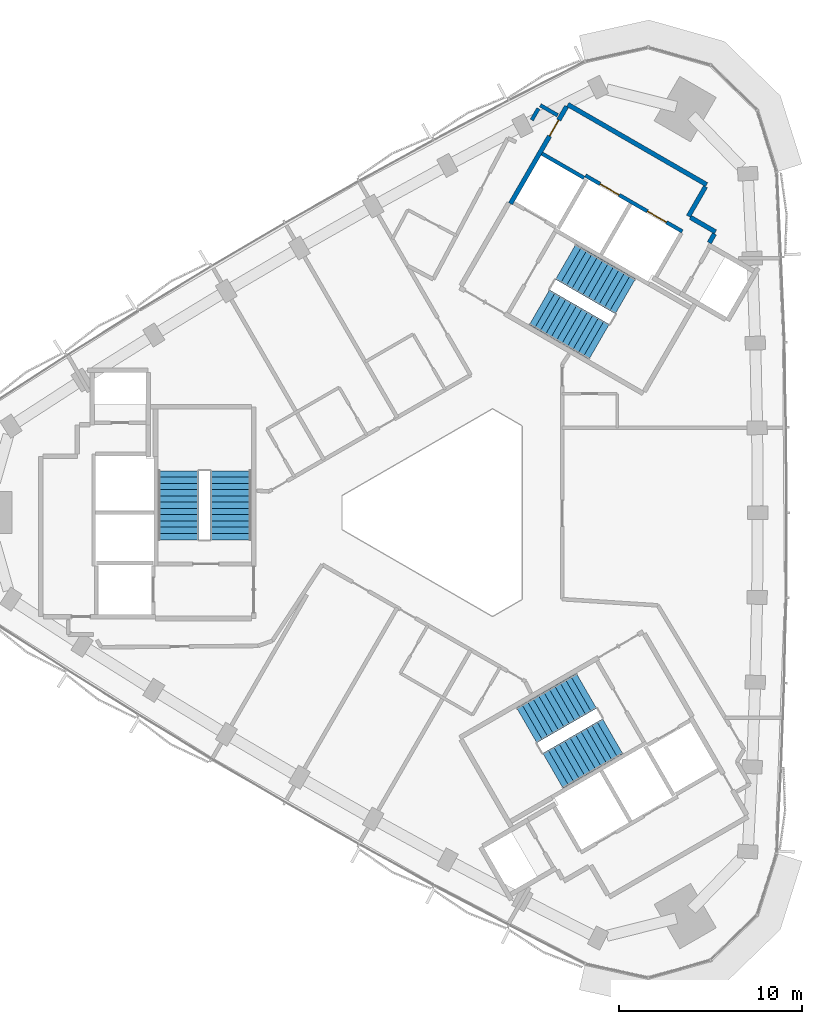
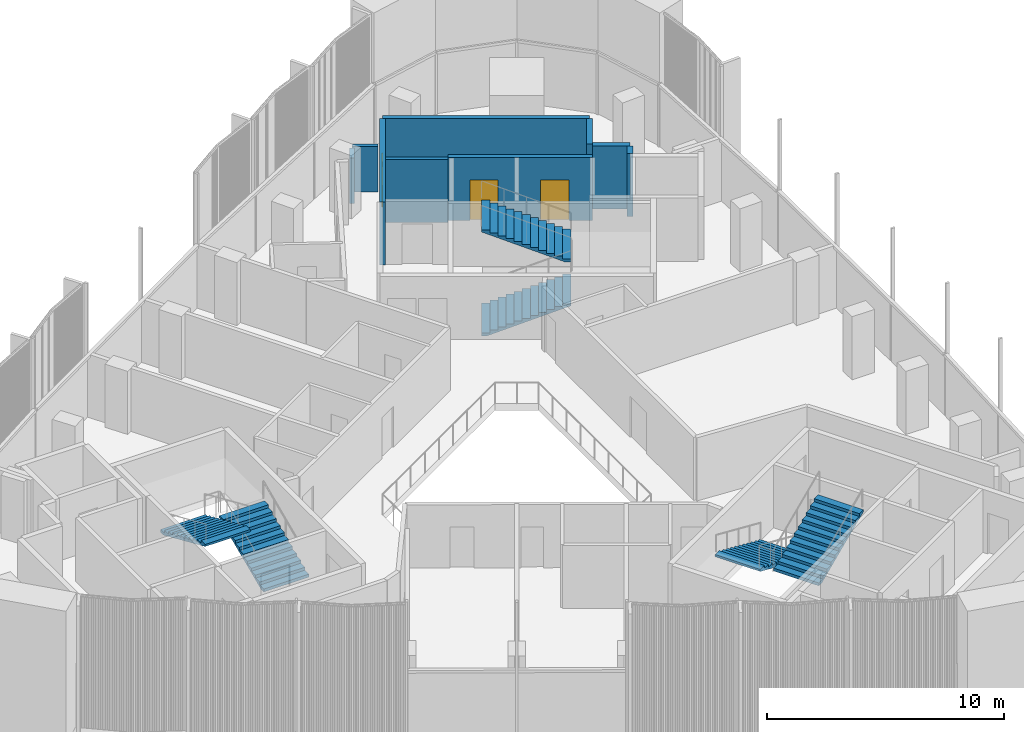
# One storey, part 11 of 14: 9 walls, 6 stair flights, 3 doors, 3 openings, 3 elements without a shape of their own.
"""IFC4 building model written with IfcOpenShell, lengths in metres."""

from ifc_helpers import new_model, si_unit, direction, frame, frame_2d, origin, place, context, subcontext, project, spatial, polyline, rectangle, outline, extrude, material, layer, layer_set, type_object, element, fill, aggregate, save


model = new_model("IFC4")

# Units and contexts
model_context = context("Model", 3, precision=1e-05, world=origin(), true_north=direction((0.0, 1.0)))
body_context = subcontext(model_context, "Body", "Model", "MODEL_VIEW")
ifc_project = project(units=[si_unit("LENGTHUNIT", "METRE"), si_unit("AREAUNIT", "SQUARE_METRE"), si_unit("VOLUMEUNIT", "CUBIC_METRE"), si_unit("PLANEANGLEUNIT", "RADIAN"), si_unit("MASSUNIT", "GRAM", prefix="KILO")], contexts=[model_context])

# Site, building, storey
site_placement = place(None, origin())
site = spatial("IfcSite", under=ifc_project, at=site_placement, CompositionType="ELEMENT")
building_placement = place(site_placement, origin())
building = spatial("IfcBuilding", under=site, at=building_placement, Name="Tamra Quay Hotel Tower", CompositionType="ELEMENT")
storey_placement = place(building_placement, frame((0.0, 0.0, 221.39990234375)))
storey = spatial("IfcBuildingStorey", under=building, at=storey_placement, Name="L55", CompositionType="ELEMENT", Elevation=221.39990234375)

# Wall, openings, doors
ifc_material_1 = material(Name="Concrete M70", Category="concrete")
ifc_layer_1 = layer(ifc_material_1, 0.199951171875)
ifc_layer_set_1 = layer_set([ifc_layer_1], Name="Concrete M70 core wall 200")
wall_type_1 = type_object("IfcWallType", Name="Concrete M70 core wall 200", PredefinedType="SHEAR", material=ifc_layer_set_1)
wall_1_placement = place(storey_placement, frame((12.552490234375, 15.341552734375, 0.0), z_axis=(0.0, 0.0, 1.0), x_axis=(-0.866030299012, 0.499991521122, 0.0)))
wall_1 = element("IfcWall", 1, at=wall_1_placement, inside=storey, type_object=wall_type_1, Name="CW2", PredefinedType="SHEAR", context=body_context, shape_type="SweptSolid", body=[
    extrude(rectangle(XDim=6.10009765625, YDim=0.199951171875, at=frame_2d((3.050048828125, 0.0))), origin(), (0.0, 0.0, 1.0), 3.25),
])
opening_1_placement = place(wall_1_placement, frame((1.0, 0.0, 0.0)))
opening_1 = element("IfcOpeningElement", 2, at=opening_1_placement, cuts=wall_1, Name="Opening LD", PredefinedType="OPENING", context=body_context, shape_type="SweptSolid", body=[
    extrude(rectangle(XDim=1.199951171875, YDim=2.10009765625, at=frame_2d((0.60009765625, 1.050048828125))), frame((0.0, 0.10986328125, 0.0), z_axis=(0.0, -1.0, 0.0), x_axis=(1.0, 0.0, 0.0)), (0.0, 0.0, 1.0), 0.219970703125),
])
opening_2_placement = place(wall_1_placement, frame((3.982177734375, 0.0, 0.0)))
opening_2 = element("IfcOpeningElement", 3, at=opening_2_placement, cuts=wall_1, Name="Opening LD", PredefinedType="OPENING", context=body_context, shape_type="SweptSolid", body=[
    extrude(rectangle(XDim=1.199951171875, YDim=2.10009765625, at=frame_2d((0.60009765625, 1.050048828125))), frame((0.0, 0.10986328125, 0.0), z_axis=(0.0, -1.0, 0.0), x_axis=(1.0, 0.0, 0.0)), (0.0, 0.0, 1.0), 0.219970703125),
])
ifc_material_2 = material(Name="Landing door LD 1200 double door sliding")
door_type_1 = type_object("IfcDoorType", Name="Landing door LD 1200 double door sliding", OperationType="DOUBLE_DOOR_SLIDING", PredefinedType="DOOR", material=ifc_material_2)
door_1_placement = place(opening_1_placement, origin())
door_1 = element("IfcDoor", 4, at=door_1_placement, inside=storey, type_object=door_type_1, Name="LD", OperationType="DOUBLE_DOOR_SLIDING", OverallHeight=2.10009765625, OverallWidth=1.199951171875, PredefinedType="DOOR", context=body_context, shape_type="SweptSolid", body=[
    extrude(rectangle(XDim=1.199951171875, YDim=2.10009765625, at=frame_2d((0.60009765625, 1.050048828125))), frame((0.0, 0.02490234375, 0.0), z_axis=(0.0, -1.0, 0.0), x_axis=(1.0, 0.0, 0.0)), (0.0, 0.0, 1.0), 0.050048828125),
])
fill(opening_1, door_1)
door_2_placement = place(opening_2_placement, origin())
door_2 = element("IfcDoor", 5, at=door_2_placement, inside=storey, type_object=door_type_1, Name="LD", OperationType="DOUBLE_DOOR_SLIDING", OverallHeight=2.10009765625, OverallWidth=1.199951171875, PredefinedType="DOOR", context=body_context, shape_type="SweptSolid", body=[
    extrude(rectangle(XDim=1.199951171875, YDim=2.10009765625, at=frame_2d((0.60009765625, 1.050048828125))), frame((0.0, 0.02490234375, 0.0), z_axis=(0.0, -1.0, 0.0), x_axis=(1.0, 0.0, 0.0)), (0.0, 0.0, 1.0), 0.050048828125),
])
fill(opening_2, door_2)

# Walls
wall_2_placement = place(storey_placement, frame((7.1962890625, 18.260498046875, 0.0), z_axis=(0.0, 0.0, 1.0), x_axis=(-0.866018407898, 0.500012117035, 0.0)))
element("IfcWall", 6, at=wall_2_placement, inside=storey, type_object=wall_type_1, Name="CW2", PredefinedType="SHEAR", context=body_context, shape_type="SweptSolid", body=[
    extrude(rectangle(XDim=2.65087890625, YDim=0.199951171875, at=frame_2d((1.325439453125, 0.0))), origin(), (0.0, 0.0, 1.0), 3.25),
])
ifc_layer_2 = layer(ifc_material_1, 0.25)
ifc_layer_set_2 = layer_set([ifc_layer_2], Name="Concrete M70 core wall 250")
wall_type_2 = type_object("IfcWallType", Name="Concrete M70 core wall 250", PredefinedType="SHEAR", material=ifc_layer_set_2)
wall_3_placement = place(storey_placement, frame((6.303955078125, 22.268798828125, 0.0), z_axis=(0.0, 0.0, 1.0), x_axis=(0.866022959057, -0.500004234368, 0.0)))
element("IfcWall", 7, at=wall_3_placement, inside=storey, type_object=wall_type_2, Name="CW1", PredefinedType="SHEAR", context=body_context, shape_type="SweptSolid", body=[
    extrude(rectangle(XDim=8.75, YDim=0.25, at=frame_2d((4.375, 0.0))), origin(), (0.0, 0.0, 1.0), 3.25),
])

# Wall, opening, door
wall_4_placement = place(storey_placement, frame((3.178955078125, 16.856201171875, 0.0), z_axis=(0.0, 0.0, 1.0), x_axis=(0.500001955336, 0.866024274868, 0.0)))
wall_4 = element("IfcWall", 8, at=wall_4_placement, inside=storey, type_object=wall_type_2, Name="CW1", PredefinedType="SHEAR", context=body_context, shape_type="SweptSolid", body=[
    extrude(rectangle(XDim=6.12451171875, YDim=0.25, at=frame_2d((3.062255859375, 0.0))), origin(), (0.0, 0.0, 1.0), 3.25),
])
opening_3_placement = place(wall_4_placement, frame((4.2626953125, 0.0, 0.0)))
opening_3 = element("IfcOpeningElement", 9, at=opening_3_placement, cuts=wall_4, Name="Opening FD3", PredefinedType="OPENING", context=body_context, shape_type="SweptSolid", body=[
    extrude(rectangle(XDim=1.0, YDim=2.10009765625, at=frame_2d((0.5, 1.050048828125))), frame((0.0, 0.135009765625, 0.0), z_axis=(0.0, -1.0, 0.0), x_axis=(1.0, 0.0, 0.0)), (0.0, 0.0, 1.0), 0.27001953125),
])
ifc_material_3 = material(Name="Core door FD3 1000x2100 LH")
door_type_2 = type_object("IfcDoorType", Name="Core door FD3 1000x2100 LH", OperationType="NOTDEFINED", PredefinedType="DOOR", material=ifc_material_3)
door_3_placement = place(opening_3_placement, origin())
door_3 = element("IfcDoor", 10, at=door_3_placement, inside=storey, type_object=door_type_2, Name="FD3", OperationType="SINGLE_SWING_LEFT", OverallHeight=2.10009765625, OverallWidth=1.0, PredefinedType="DOOR", context=body_context, shape_type="SweptSolid", body=[
    extrude(rectangle(XDim=1.0, YDim=2.10009765625, at=frame_2d((0.5, 1.050048828125))), frame((0.0, 0.02490234375, 0.0), z_axis=(0.0, -1.0, 0.0), x_axis=(1.0, 0.0, 0.0)), (0.0, 0.0, 1.0), 0.050048828125),
])
fill(opening_3, door_3)

# Walls
wall_5_placement = place(storey_placement, frame((13.819091796875, 17.78515625, 0.0), z_axis=(0.0, 0.0, 1.0), x_axis=(-0.500039802285, -0.866002422705, 0.0)))
element("IfcWall", 11, at=wall_5_placement, inside=storey, type_object=wall_type_2, Name="CW1", PredefinedType="SHEAR", context=body_context, shape_type="SweptSolid", body=[
    extrude(rectangle(XDim=1.864501953125, YDim=0.25, at=frame_2d((0.93212890625, 0.0))), origin(), (0.0, 0.0, 1.0), 3.25),
])
wall_6_placement = place(storey_placement, frame((12.995361328125, 16.107666015625, 0.0), z_axis=(0.0, 0.0, 1.0), x_axis=(0.866044474677, -0.49996696679, 0.0)))
element("IfcWall", 12, at=wall_6_placement, inside=storey, type_object=wall_type_2, Name="CW1", PredefinedType="SHEAR", context=body_context, shape_type="SweptSolid", body=[
    extrude(rectangle(XDim=1.58447265625, YDim=0.25, at=frame_2d((0.792236328125, 0.0))), origin(), (0.0, 0.0, 1.0), 3.25),
])
wall_7_placement = place(storey_placement, frame((14.304931640625, 15.206787109375, 0.0), z_axis=(0.0, 0.0, 1.0), x_axis=(-0.499848422343, -0.866112899501, 0.0)))
element("IfcWall", 13, at=wall_7_placement, inside=storey, type_object=wall_type_2, Name="CW1", PredefinedType="SHEAR", context=body_context, shape_type="SweptSolid", body=[
    extrude(rectangle(XDim=0.559326171875, YDim=0.25, at=frame_2d((0.27978515625, 0.0))), origin(), (0.0, 0.0, 1.0), 3.25),
])
ifc_material_4 = material(Name="Partition corridor wall")
ifc_layer_3 = layer(ifc_material_4, 0.199951171875)
ifc_layer_set_3 = layer_set([ifc_layer_3], Name="Partition corridor wall")
wall_type_3 = type_object("IfcWallType", Name="Partition corridor wall", PredefinedType="PARTITIONING", material=ifc_layer_set_3)
wall_8_placement = place(storey_placement, frame((4.342041015625, 21.4208984375, 0.0), z_axis=(0.0, 0.0, 1.0), x_axis=(0.500238258503, 0.865887801468, 0.0)))
element("IfcWall", 14, at=wall_8_placement, inside=storey, type_object=wall_type_3, Name="W-C", PredefinedType="PARTITIONING", context=body_context, shape_type="SweptSolid", body=[
    extrude(rectangle(XDim=0.723876953125, YDim=0.199951171875, at=frame_2d((0.36181640625, 0.0))), origin(), (0.0, 0.0, 1.0), 2.35009765625),
])
wall_9_placement = place(storey_placement, frame((4.805908203125, 22.22412109375, 0.0), z_axis=(0.0, 0.0, 1.0), x_axis=(0.866334698307, -0.499463903109, 0.0)))
element("IfcWall", 15, at=wall_9_placement, inside=storey, type_object=wall_type_3, Name="W-C", PredefinedType="PARTITIONING", context=body_context, shape_type="SweptSolid", body=[
    extrude(rectangle(XDim=1.090087890625, YDim=0.199951171875, at=frame_2d((0.544921875, 0.0))), origin(), (0.0, 0.0, 1.0), 2.35009765625),
])

# Stair, stair flights
ifc_material_5 = material(Name="Exit stair 2200 24 risers 150.0 going 342")
stair_type = type_object("IfcStairType", Name="Exit stair 2200 24 risers 150.0 going 342", PredefinedType="HALF_TURN_STAIR", material=ifc_material_5)
stair_1_placement = place(storey_placement, origin())
stair_1 = element("IfcStair", 16, at=stair_1_placement, inside=storey, type_object=stair_type, Name="L55 Exit stair ST3", PredefinedType="HALF_TURN_STAIR")
ifc_material_6 = material(Name="Exit stair flight 2200 12 risers 150.0")
stair_flight_type = type_object("IfcStairFlightType", Name="Exit stair flight 2200 12 risers 150.0", PredefinedType="STRAIGHT", material=ifc_material_6)
stair_flight_1_placement = place(storey_placement, frame((-12.082275390625, -1.47998046875, 0.0), z_axis=(0.0, 0.0, 1.0), x_axis=(0.0, 1.0, 0.0)))
stair_flight_1 = element("IfcStairFlight", 17, at=stair_flight_1_placement, type_object=stair_flight_type, Name="ST3 flight 1", NumberOfRisers=12, NumberOfTreads=11, PredefinedType="STRAIGHT", RiserHeight=0.15, TreadLength=0.342, context=body_context, shape_type="SweptSolid", body=[
    extrude(outline(polyline([(0.0, 0.0), (0.0, 0.14990234375), (0.342041015625, 0.14990234375), (0.342041015625, 0.300048828125), (0.68408203125, 0.300048828125), (0.68408203125, 0.449951171875), (1.02587890625, 0.449951171875), (1.02587890625, 0.60009765625), (1.367919921875, 0.60009765625), (1.367919921875, 0.75), (1.7099609375, 0.75), (1.7099609375, 0.89990234375), (2.052001953125, 0.89990234375), (2.052001953125, 1.050048828125), (2.39404296875, 1.050048828125), (2.39404296875, 1.199951171875), (2.736083984375, 1.199951171875), (2.736083984375, 1.35009765625), (3.077880859375, 1.35009765625), (3.077880859375, 1.5), (3.419921875, 1.5), (3.419921875, 1.64990234375), (3.761962890625, 1.64990234375), (3.761962890625, 1.800048828125), (3.761962890625, 1.540771484375), (0.249267578125, 0.0), (0.0, 0.0)])), frame((0.0, 1.10009765625, 0.0), z_axis=(0.0, -1.0, 0.0), x_axis=(1.0, 0.0, 0.0)), (0.0, 0.0, 1.0), 2.199951171875),
])
stair_flight_2_placement = place(storey_placement, frame((-14.94140625, 2.281982421875, 1.800048828125), z_axis=(0.0, 0.0, 1.0), x_axis=(0.0, -1.0, 0.0)))
stair_flight_2 = element("IfcStairFlight", 18, at=stair_flight_2_placement, type_object=stair_flight_type, Name="ST3 flight 2", NumberOfRisers=12, NumberOfTreads=11, PredefinedType="STRAIGHT", RiserHeight=0.15, TreadLength=0.342, context=body_context, shape_type="SweptSolid", body=[
    extrude(outline(polyline([(0.0, 0.0), (0.0, 0.14990234375), (0.342041015625, 0.14990234375), (0.342041015625, 0.300048828125), (0.68408203125, 0.300048828125), (0.68408203125, 0.449951171875), (1.02587890625, 0.449951171875), (1.02587890625, 0.60009765625), (1.367919921875, 0.60009765625), (1.367919921875, 0.75), (1.7099609375, 0.75), (1.7099609375, 0.89990234375), (2.052001953125, 0.89990234375), (2.052001953125, 1.050048828125), (2.39404296875, 1.050048828125), (2.39404296875, 1.199951171875), (2.736083984375, 1.199951171875), (2.736083984375, 1.35009765625), (3.077880859375, 1.35009765625), (3.077880859375, 1.5), (3.419921875, 1.5), (3.419921875, 1.64990234375), (3.761962890625, 1.64990234375), (3.761962890625, 1.800048828125), (3.761962890625, 1.540771484375), (0.249267578125, 0.0), (0.0, 0.0)])), frame((0.0, 1.10009765625, 0.0), z_axis=(0.0, -1.0, 0.0), x_axis=(1.0, 0.0, 0.0)), (0.0, 0.0, 1.0), 2.199951171875),
])
aggregate(stair_1, [stair_flight_1, stair_flight_2])

stair_2_placement = place(storey_placement, origin())
stair_2 = element("IfcStair", 19, at=stair_2_placement, inside=storey, type_object=stair_type, Name="L55 Exit stair ST1", PredefinedType="HALF_TURN_STAIR")
stair_flight_3_placement = place(storey_placement, frame((4.75927734375, 11.20361328125, 0.0), z_axis=(0.0, 0.0, 1.0), x_axis=(0.866025403784, -0.5, 0.0)))
stair_flight_3 = element("IfcStairFlight", 20, at=stair_flight_3_placement, type_object=stair_flight_type, Name="ST1 flight 1", NumberOfRisers=12, NumberOfTreads=11, PredefinedType="STRAIGHT", RiserHeight=0.15, TreadLength=0.342, context=body_context, shape_type="SweptSolid", body=[
    extrude(outline(polyline([(0.0, 0.0), (0.0, 0.14990234375), (0.342041015625, 0.14990234375), (0.342041015625, 0.300048828125), (0.68408203125, 0.300048828125), (0.68408203125, 0.449951171875), (1.02587890625, 0.449951171875), (1.02587890625, 0.60009765625), (1.367919921875, 0.60009765625), (1.367919921875, 0.75), (1.7099609375, 0.75), (1.7099609375, 0.89990234375), (2.052001953125, 0.89990234375), (2.052001953125, 1.050048828125), (2.39404296875, 1.050048828125), (2.39404296875, 1.199951171875), (2.736083984375, 1.199951171875), (2.736083984375, 1.35009765625), (3.077880859375, 1.35009765625), (3.077880859375, 1.5), (3.419921875, 1.5), (3.419921875, 1.64990234375), (3.761962890625, 1.64990234375), (3.761962890625, 1.800048828125), (3.761962890625, 1.540771484375), (0.249267578125, 0.0), (0.0, 0.0)])), frame((0.0, 1.10009765625, 0.0), z_axis=(0.0, -1.0, 0.0), x_axis=(1.0, 0.0, 0.0)), (0.0, 0.0, 1.0), 2.199951171875),
])
stair_flight_4_placement = place(storey_placement, frame((9.44677734375, 11.798583984375, 1.800048828125), z_axis=(0.0, 0.0, 1.0), x_axis=(-0.866025403784, 0.5, 0.0)))
stair_flight_4 = element("IfcStairFlight", 21, at=stair_flight_4_placement, type_object=stair_flight_type, Name="ST1 flight 2", NumberOfRisers=12, NumberOfTreads=11, PredefinedType="STRAIGHT", RiserHeight=0.15, TreadLength=0.342, context=body_context, shape_type="SweptSolid", body=[
    extrude(outline(polyline([(0.0, 0.0), (0.0, 0.14990234375), (0.342041015625, 0.14990234375), (0.342041015625, 0.300048828125), (0.68408203125, 0.300048828125), (0.68408203125, 0.449951171875), (1.02587890625, 0.449951171875), (1.02587890625, 0.60009765625), (1.367919921875, 0.60009765625), (1.367919921875, 0.75), (1.7099609375, 0.75), (1.7099609375, 0.89990234375), (2.052001953125, 0.89990234375), (2.052001953125, 1.050048828125), (2.39404296875, 1.050048828125), (2.39404296875, 1.199951171875), (2.736083984375, 1.199951171875), (2.736083984375, 1.35009765625), (3.077880859375, 1.35009765625), (3.077880859375, 1.5), (3.419921875, 1.5), (3.419921875, 1.64990234375), (3.761962890625, 1.64990234375), (3.761962890625, 1.800048828125), (3.761962890625, 1.540771484375), (0.249267578125, 0.0), (0.0, 0.0)])), frame((0.0, 1.10009765625, 0.0), z_axis=(0.0, -1.0, 0.0), x_axis=(1.0, 0.0, 0.0)), (0.0, 0.0, 1.0), 2.199951171875),
])
aggregate(stair_2, [stair_flight_3, stair_flight_4])

stair_3_placement = place(storey_placement, origin())
stair_3 = element("IfcStair", 22, at=stair_3_placement, inside=storey, type_object=stair_type, Name="L55 Exit stair ST2", PredefinedType="HALF_TURN_STAIR")
stair_flight_5_placement = place(storey_placement, frame((7.322998046875, -9.7236328125, 0.0), z_axis=(0.0, 0.0, 1.0), x_axis=(-0.866025403784, -0.5, 0.0)))
stair_flight_5 = element("IfcStairFlight", 23, at=stair_flight_5_placement, type_object=stair_flight_type, Name="ST2 flight 1", NumberOfRisers=12, NumberOfTreads=11, PredefinedType="STRAIGHT", RiserHeight=0.15, TreadLength=0.342, context=body_context, shape_type="SweptSolid", body=[
    extrude(outline(polyline([(0.0, 0.0), (0.0, 0.14990234375), (0.342041015625, 0.14990234375), (0.342041015625, 0.300048828125), (0.68408203125, 0.300048828125), (0.68408203125, 0.449951171875), (1.02587890625, 0.449951171875), (1.02587890625, 0.60009765625), (1.367919921875, 0.60009765625), (1.367919921875, 0.75), (1.7099609375, 0.75), (1.7099609375, 0.89990234375), (2.052001953125, 0.89990234375), (2.052001953125, 1.050048828125), (2.39404296875, 1.050048828125), (2.39404296875, 1.199951171875), (2.736083984375, 1.199951171875), (2.736083984375, 1.35009765625), (3.077880859375, 1.35009765625), (3.077880859375, 1.5), (3.419921875, 1.5), (3.419921875, 1.64990234375), (3.761962890625, 1.64990234375), (3.761962890625, 1.800048828125), (3.761962890625, 1.540771484375), (0.249267578125, 0.0), (0.0, 0.0)])), frame((0.0, 1.10009765625, 0.0), z_axis=(0.0, -1.0, 0.0), x_axis=(1.0, 0.0, 0.0)), (0.0, 0.0, 1.0), 2.199951171875),
])
stair_flight_6_placement = place(storey_placement, frame((5.494384765625, -14.08056640625, 1.800048828125), z_axis=(0.0, 0.0, 1.0), x_axis=(0.866025403784, 0.5, 0.0)))
stair_flight_6 = element("IfcStairFlight", 24, at=stair_flight_6_placement, type_object=stair_flight_type, Name="ST2 flight 2", NumberOfRisers=12, NumberOfTreads=11, PredefinedType="STRAIGHT", RiserHeight=0.15, TreadLength=0.342, context=body_context, shape_type="SweptSolid", body=[
    extrude(outline(polyline([(0.0, 0.0), (0.0, 0.14990234375), (0.342041015625, 0.14990234375), (0.342041015625, 0.300048828125), (0.68408203125, 0.300048828125), (0.68408203125, 0.449951171875), (1.02587890625, 0.449951171875), (1.02587890625, 0.60009765625), (1.367919921875, 0.60009765625), (1.367919921875, 0.75), (1.7099609375, 0.75), (1.7099609375, 0.89990234375), (2.052001953125, 0.89990234375), (2.052001953125, 1.050048828125), (2.39404296875, 1.050048828125), (2.39404296875, 1.199951171875), (2.736083984375, 1.199951171875), (2.736083984375, 1.35009765625), (3.077880859375, 1.35009765625), (3.077880859375, 1.5), (3.419921875, 1.5), (3.419921875, 1.64990234375), (3.761962890625, 1.64990234375), (3.761962890625, 1.800048828125), (3.761962890625, 1.540771484375), (0.249267578125, 0.0), (0.0, 0.0)])), frame((0.0, 1.10009765625, 0.0), z_axis=(0.0, -1.0, 0.0), x_axis=(1.0, 0.0, 0.0)), (0.0, 0.0, 1.0), 2.199951171875),
])
aggregate(stair_3, [stair_flight_5, stair_flight_6])

save(model, "model.ifc")
